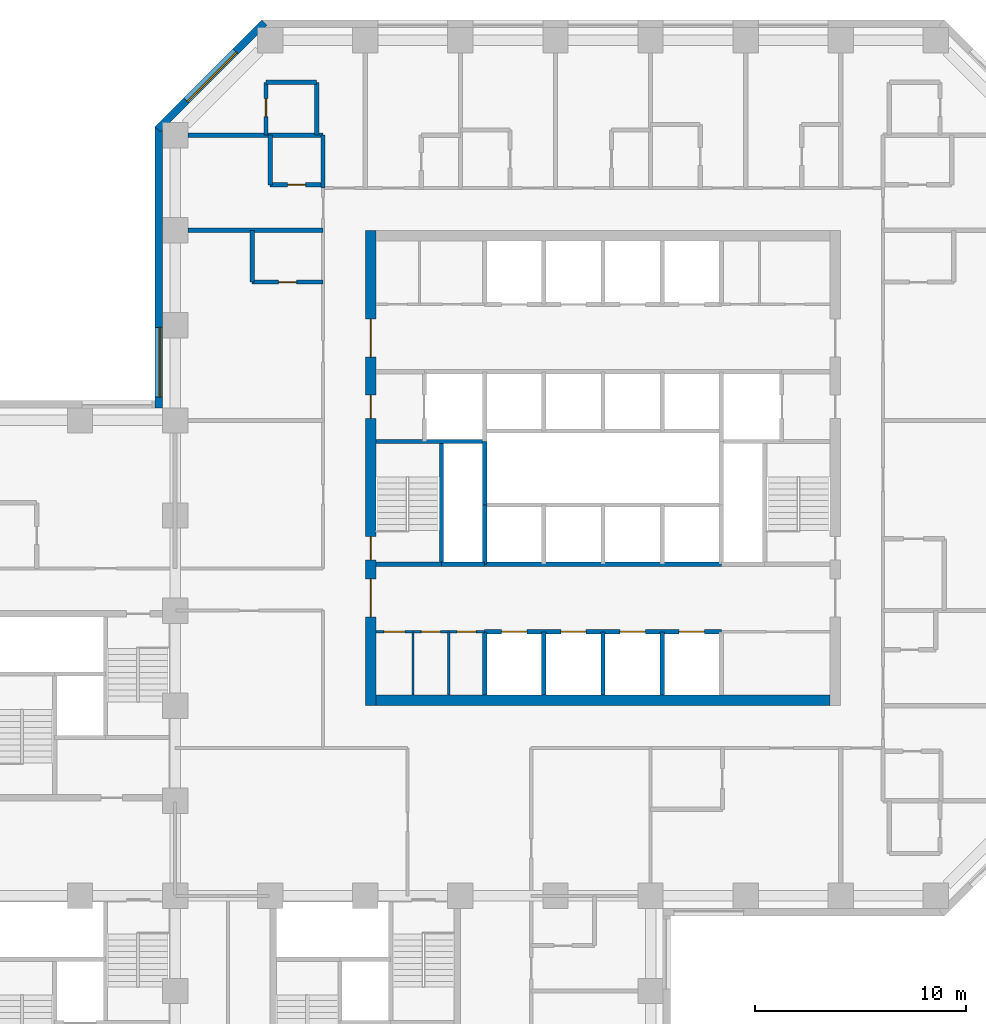
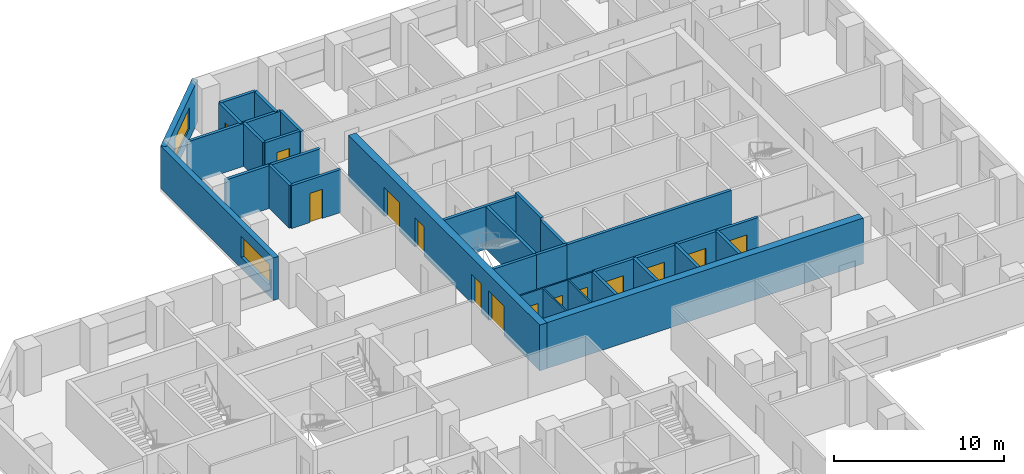
# One storey, part 7 of 12: 29 walls, 14 doors, 2 windows, 16 openings.
"""IFC4 building model written with IfcOpenShell, lengths in metres."""

from ifc_helpers import new_model, si_unit, direction, frame, frame_2d, origin, place, context, subcontext, project, spatial, rectangle, extrude, material, layer, layer_set, constituent, constituent_set, type_object, element, fill, save


model = new_model("IFC4")

# Units and contexts
model_context = context("Model", 3, precision=1e-05, world=origin(), true_north=direction((0.0, 1.0)))
body_context = subcontext(model_context, "Body", "Model", "MODEL_VIEW")
ifc_project = project(units=[si_unit("LENGTHUNIT", "METRE"), si_unit("AREAUNIT", "SQUARE_METRE"), si_unit("VOLUMEUNIT", "CUBIC_METRE"), si_unit("PLANEANGLEUNIT", "RADIAN"), si_unit("MASSUNIT", "GRAM", prefix="KILO")], contexts=[model_context])

# Site, building, storey
site_placement = place(None, origin())
site = spatial("IfcSite", under=ifc_project, at=site_placement, CompositionType="ELEMENT")
building_placement = place(site_placement, origin())
building = spatial("IfcBuilding", under=site, at=building_placement, Name="Quoin Convention Tower", CompositionType="ELEMENT")
storey_placement = place(building_placement, frame((0.0, 0.0, 33.0)))
storey = spatial("IfcBuildingStorey", under=building, at=storey_placement, Name="L07", CompositionType="ELEMENT", Elevation=33.0)

# Wall, opening, window
ifc_material_1 = material(Name="Brick masonry", Category="masonry")
ifc_layer_1 = layer(ifc_material_1, 0.35009765625)
ifc_layer_set_1 = layer_set([ifc_layer_1], Name="Brick masonry")
wall_type_1 = type_object("IfcWallType", Name="Brick facade wall", PredefinedType="STANDARD", material=ifc_layer_set_1)
wall_1_placement = place(storey_placement, frame((40.230224609375, 81.826416015625, 0.0), z_axis=(0.0, 0.0, 1.0), x_axis=(-0.707106781187, -0.707106781187, 0.0)))
wall_1 = element("IfcWall", 1, at=wall_1_placement, inside=storey, type_object=wall_type_1, Name="fw-L07-40500_81000", PredefinedType="STANDARD", context=body_context, shape_type="SweptSolid", body=[
    extrude(rectangle(XDim=7.151123046875, YDim=0.35009765625, at=frame_2d((3.57568359375, 0.0))), origin(), (0.0, 0.0, 1.0), 3.054931640625),
])
opening_1_placement = place(wall_1_placement, frame((1.925537109375, 0.0, 0.800048828125)))
opening_1 = element("IfcOpeningElement", 2, at=opening_1_placement, cuts=wall_1, Name="Opening W-01", PredefinedType="OPENING", context=body_context, shape_type="SweptSolid", body=[
    extrude(rectangle(XDim=3.300048828125, YDim=1.5, at=frame_2d((1.64990234375, 0.75))), frame((0.0, 0.18505859375, 0.0), z_axis=(0.0, -1.0, 0.0), x_axis=(1.0, 0.0, 0.0)), (0.0, 0.0, 1.0), 0.3701171875),
])
ifc_material_2 = material(Name="Aluminium", Category="aluminium")
ifc_constituent_1 = constituent(ifc_material_2, Name="Frame")
ifc_material_3 = material(Name="Insulated glass", Category="glass")
ifc_constituent_2 = constituent(ifc_material_3, Name="Glazing")
ifc_constituent_set = constituent_set(constituents=[ifc_constituent_1, ifc_constituent_2], Name="Aluminium")
window_type = type_object("IfcWindowType", Name="Hotel strip window", PartitioningType="DOUBLE_PANEL_VERTICAL", PredefinedType="WINDOW", material=ifc_constituent_set)
window_1_placement = place(opening_1_placement, origin())
window_1 = element("IfcWindow", 3, at=window_1_placement, inside=storey, type_object=window_type, Name="win-L07-37702_79298", OverallHeight=1.5, OverallWidth=3.300048828125, PartitioningType="SINGLE_PANEL", PredefinedType="WINDOW", context=body_context, shape_type="SweptSolid", body=[
    extrude(rectangle(XDim=3.300048828125, YDim=1.5, at=frame_2d((1.64990234375, 0.75))), frame((0.0, 0.0849609375, 0.0), z_axis=(0.0, -1.0, 0.0), x_axis=(1.0, 0.0, 0.0)), (0.0, 0.0, 1.0), 0.06005859375),
])
fill(opening_1, window_1)

wall_2_placement = place(storey_placement, frame((35.22509765625, 76.8935546875, 0.0), z_axis=(0.0, 0.0, 1.0), x_axis=(0.0, -1.0, 0.0)))
wall_2 = element("IfcWall", 4, at=wall_2_placement, inside=storey, type_object=wall_type_1, Name="fw-L07-36000_76500", PredefinedType="STANDARD", context=body_context, shape_type="SweptSolid", body=[
    extrude(rectangle(XDim=13.29345703125, YDim=0.35009765625, at=frame_2d((6.646728515625, 0.0))), origin(), (0.0, 0.0, 1.0), 3.054931640625),
])
opening_2_placement = place(wall_2_placement, frame((9.493408203125, 0.0, 0.800048828125)))
opening_2 = element("IfcOpeningElement", 5, at=opening_2_placement, cuts=wall_2, Name="Opening W-01", PredefinedType="OPENING", context=body_context, shape_type="SweptSolid", body=[
    extrude(rectangle(XDim=3.300048828125, YDim=1.5, at=frame_2d((1.64990234375, 0.75))), frame((0.0, 0.18505859375, 0.0), z_axis=(0.0, -1.0, 0.0), x_axis=(1.0, 0.0, 0.0)), (0.0, 0.0, 1.0), 0.3701171875),
])
window_2_placement = place(opening_2_placement, origin())
window_2 = element("IfcWindow", 6, at=window_2_placement, inside=storey, type_object=window_type, Name="win-L07-35225_65250", OverallHeight=1.5, OverallWidth=3.300048828125, PartitioningType="SINGLE_PANEL", PredefinedType="WINDOW", context=body_context, shape_type="SweptSolid", body=[
    extrude(rectangle(XDim=3.300048828125, YDim=1.5, at=frame_2d((1.64990234375, 0.75))), frame((0.0, 0.0849609375, 0.0), z_axis=(0.0, -1.0, 0.0), x_axis=(1.0, 0.0, 0.0)), (0.0, 0.0, 1.0), 0.06005859375),
])
fill(opening_2, window_2)

# Wall, openings, doors
ifc_material_4 = material(Name="Plasterboard")
ifc_layer_2 = layer(ifc_material_4, 0.012451171875, Name="Finish")
ifc_material_5 = material(Name="Steel stud framing", Category="steel")
ifc_layer_3 = layer(ifc_material_5, 0.074951171875, Name="Structure")
ifc_layer_4 = layer(ifc_material_4, 0.012451171875, Name="Finish")
ifc_layer_set_2 = layer_set([ifc_layer_2, ifc_layer_3, ifc_layer_4], Name="Steel stud framing")
wall_type_2 = type_object("IfcWallType", Name="Core partition wall", PredefinedType="PARTITIONING", material=ifc_layer_set_2)
wall_3_placement = place(storey_placement, frame((45.5, 53.0, 0.0), z_axis=(0.0, 0.0, 1.0), x_axis=(1.0, 0.0, 0.0)))
wall_3 = element("IfcWall", 7, at=wall_3_placement, inside=storey, type_object=wall_type_2, Name="cr-C1-L07-h3500_500", PredefinedType="PARTITIONING", context=body_context, shape_type="SweptSolid", body=[
    extrude(rectangle(XDim=5.14990234375, YDim=0.10009765625, at=frame_2d((2.574951171875, 0.0))), origin(), (0.0, 0.0, 1.0), 3.080078125),
])
opening_3_placement = place(wall_3_placement, frame((0.37548828125, 0.0, 0.0)))
opening_3 = element("IfcOpeningElement", 8, at=opening_3_placement, cuts=wall_3, Name="Opening DCV3-34", PredefinedType="OPENING", context=body_context, shape_type="SweptSolid", body=[
    extrude(rectangle(XDim=1.0, YDim=2.10009765625, at=frame_2d((0.5, 1.050048828125))), frame((0.0, 0.06005859375, 0.0), z_axis=(0.0, -1.0, 0.0), x_axis=(1.0, 0.0, 0.0)), (0.0, 0.0, 1.0), 0.1201171875),
])
opening_4_placement = place(wall_3_placement, frame((2.150634765625, 0.0, 0.0)))
opening_4 = element("IfcOpeningElement", 9, at=opening_4_placement, cuts=wall_3, Name="Opening DCV3-35", PredefinedType="OPENING", context=body_context, shape_type="SweptSolid", body=[
    extrude(rectangle(XDim=0.89990234375, YDim=2.10009765625, at=frame_2d((0.449951171875, 1.050048828125))), frame((0.0, 0.06005859375, 0.0), z_axis=(0.0, -1.0, 0.0), x_axis=(1.0, 0.0, 0.0)), (0.0, 0.0, 1.0), 0.1201171875),
])
opening_5_placement = place(wall_3_placement, frame((3.85009765625, 0.0, 0.0)))
opening_5 = element("IfcOpeningElement", 10, at=opening_5_placement, cuts=wall_3, Name="Opening DCV3-36", PredefinedType="OPENING", context=body_context, shape_type="SweptSolid", body=[
    extrude(rectangle(XDim=0.89990234375, YDim=2.10009765625, at=frame_2d((0.449951171875, 1.050048828125))), frame((0.0, 0.06005859375, 0.0), z_axis=(0.0, -1.0, 0.0), x_axis=(1.0, 0.0, 0.0)), (0.0, 0.0, 1.0), 0.1201171875),
])
ifc_material_6 = material(Name="Steel door leaf", Category="steel")
door_type_1 = type_object("IfcDoorType", Name="Core room door 1000 x 2100", OperationType="SINGLE_SWING_LEFT", PredefinedType="DOOR", material=ifc_material_6)
door_1_placement = place(opening_3_placement, frame((1.0, 0.0, 0.0), z_axis=(0.0, 0.0, 1.0), x_axis=(-1.0, 0.0, 0.0)))
door_1 = element("IfcDoor", 11, at=door_1_placement, inside=storey, type_object=door_type_1, Name="cd-C1-L07-CSW0-lobA-CD0712", OperationType="SINGLE_SWING_LEFT", OverallHeight=2.10009765625, OverallWidth=1.0, PredefinedType="DOOR", context=body_context, shape_type="SweptSolid", body=[
    extrude(rectangle(XDim=1.0, YDim=2.10009765625, at=frame_2d((0.5, 1.050048828125))), frame((0.0, 0.02490234375, 0.0), z_axis=(0.0, -1.0, 0.0), x_axis=(1.0, 0.0, 0.0)), (0.0, 0.0, 1.0), 0.050048828125),
])
fill(opening_3, door_1)
door_type_2 = type_object("IfcDoorType", Name="Core room door 900 x 2100", OperationType="SINGLE_SWING_LEFT", PredefinedType="DOOR", material=ifc_material_6)
door_2_placement = place(opening_4_placement, frame((0.89990234375, 0.0, 0.0), z_axis=(0.0, 0.0, 1.0), x_axis=(-1.0, 0.0, 0.0)))
door_2 = element("IfcDoor", 12, at=door_2_placement, inside=storey, type_object=door_type_2, Name="cd-C1-L07-CSW1-lobA-CD0713", OperationType="SINGLE_SWING_LEFT", OverallHeight=2.10009765625, OverallWidth=0.89990234375, PredefinedType="DOOR", context=body_context, shape_type="SweptSolid", body=[
    extrude(rectangle(XDim=0.89990234375, YDim=2.10009765625, at=frame_2d((0.449951171875, 1.050048828125))), frame((0.0, 0.02490234375, 0.0), z_axis=(0.0, -1.0, 0.0), x_axis=(1.0, 0.0, 0.0)), (0.0, 0.0, 1.0), 0.050048828125),
])
fill(opening_4, door_2)
door_3_placement = place(opening_5_placement, frame((0.89990234375, 0.0, 0.0), z_axis=(0.0, 0.0, 1.0), x_axis=(-1.0, 0.0, 0.0)))
door_3 = element("IfcDoor", 13, at=door_3_placement, inside=storey, type_object=door_type_2, Name="cd-C1-L07-CSW2-lobA-CD0714", OperationType="SINGLE_SWING_LEFT", OverallHeight=2.10009765625, OverallWidth=0.89990234375, PredefinedType="DOOR", context=body_context, shape_type="SweptSolid", body=[
    extrude(rectangle(XDim=0.89990234375, YDim=2.10009765625, at=frame_2d((0.449951171875, 1.050048828125))), frame((0.0, 0.02490234375, 0.0), z_axis=(0.0, -1.0, 0.0), x_axis=(1.0, 0.0, 0.0)), (0.0, 0.0, 1.0), 0.050048828125),
])
fill(opening_5, door_3)

# Walls
for number, where, z_axis, x_axis, name in (
    (14, (47.2509765625, 50.0, 0.0), (0.0, 0.0, 1.0), (0.0, 1.0, 0.0), "cr-C1-L07-v2251_500"),
    (15, (48.950439453125, 50.0, 0.0), (0.0, 0.0, 1.0), (0.0, 1.0, 0.0), "cr-C1-L07-v3950_500"),
):
    element("IfcWall", number, at=place(storey_placement, frame(where, z_axis=z_axis, x_axis=x_axis)), inside=storey, type_object=wall_type_2, Name=name, PredefinedType="PARTITIONING", context=body_context, shape_type="SweptSolid", body=[
        extrude(rectangle(XDim=3.0, YDim=0.10009765625, at=frame_2d((1.5, 0.0))), origin(), (0.0, 0.0, 1.0), 3.080078125),
    ])

# Wall, openings, doors
ifc_material_7 = material(Name="Concrete C50", Category="concrete")
ifc_layer_5 = layer(ifc_material_7, 0.199951171875)
ifc_layer_set_3 = layer_set([ifc_layer_5], Name="Concrete C50")
wall_type_3 = type_object("IfcWallType", Name="Core shaft wall", PredefinedType="SOLIDWALL", material=ifc_layer_set_3)
wall_4_placement = place(storey_placement, frame((50.64990234375, 53.0, 0.0), z_axis=(0.0, 0.0, 1.0), x_axis=(1.0, 0.0, 0.0)))
wall_4 = element("IfcWall", 16, at=wall_4_placement, inside=storey, type_object=wall_type_3, Name="cr-C1-L07-h3500_5650", PredefinedType="SOLIDWALL", context=body_context, shape_type="SweptSolid", body=[
    extrude(rectangle(XDim=11.2001953125, YDim=0.199951171875, at=frame_2d((5.60009765625, 0.0))), origin(), (0.0, 0.0, 1.0), 3.080078125),
])
opening_6_placement = place(wall_4_placement, frame((0.800048828125, 0.0, 0.0)))
opening_6 = element("IfcOpeningElement", 17, at=opening_6_placement, cuts=wall_4, Name="Opening LDL1", PredefinedType="OPENING", context=body_context, shape_type="SweptSolid", body=[
    extrude(rectangle(XDim=1.199951171875, YDim=2.10009765625, at=frame_2d((0.60009765625, 1.050048828125))), frame((0.0, 0.10986328125, 0.0), z_axis=(0.0, -1.0, 0.0), x_axis=(1.0, 0.0, 0.0)), (0.0, 0.0, 1.0), 0.219970703125),
])
opening_7_placement = place(wall_4_placement, frame((3.60009765625, 0.0, 0.0)))
opening_7 = element("IfcOpeningElement", 18, at=opening_7_placement, cuts=wall_4, Name="Opening LDL2", PredefinedType="OPENING", context=body_context, shape_type="SweptSolid", body=[
    extrude(rectangle(XDim=1.199951171875, YDim=2.10009765625, at=frame_2d((0.60009765625, 1.050048828125))), frame((0.0, 0.10986328125, 0.0), z_axis=(0.0, -1.0, 0.0), x_axis=(1.0, 0.0, 0.0)), (0.0, 0.0, 1.0), 0.219970703125),
])
opening_8_placement = place(wall_4_placement, frame((6.39990234375, 0.0, 0.0)))
opening_8 = element("IfcOpeningElement", 19, at=opening_8_placement, cuts=wall_4, Name="Opening LDL3", PredefinedType="OPENING", context=body_context, shape_type="SweptSolid", body=[
    extrude(rectangle(XDim=1.199951171875, YDim=2.10009765625, at=frame_2d((0.60009765625, 1.050048828125))), frame((0.0, 0.10986328125, 0.0), z_axis=(0.0, -1.0, 0.0), x_axis=(1.0, 0.0, 0.0)), (0.0, 0.0, 1.0), 0.219970703125),
])
opening_9_placement = place(wall_4_placement, frame((9.199951171875, 0.0, 0.0)))
opening_9 = element("IfcOpeningElement", 20, at=opening_9_placement, cuts=wall_4, Name="Opening LDL4", PredefinedType="OPENING", context=body_context, shape_type="SweptSolid", body=[
    extrude(rectangle(XDim=1.199951171875, YDim=2.10009765625, at=frame_2d((0.60009765625, 1.050048828125))), frame((0.0, 0.10986328125, 0.0), z_axis=(0.0, -1.0, 0.0), x_axis=(1.0, 0.0, 0.0)), (0.0, 0.0, 1.0), 0.219970703125),
])
door_type_3 = type_object("IfcDoorType", Name="Lift landing door 1200 x 2100", OperationType="DOUBLE_DOOR_SLIDING", PredefinedType="DOOR", material=ifc_material_6)
door_4_placement = place(opening_6_placement, origin())
door_4 = element("IfcDoor", 21, at=door_4_placement, inside=storey, type_object=door_type_3, Name="cd-C1-L07-R10-lobA-LDL1", OperationType="DOUBLE_DOOR_SLIDING", OverallHeight=2.10009765625, OverallWidth=1.199951171875, PredefinedType="DOOR", context=body_context, shape_type="SweptSolid", body=[
    extrude(rectangle(XDim=1.199951171875, YDim=2.10009765625, at=frame_2d((0.60009765625, 1.050048828125))), frame((0.0, 0.02490234375, 0.0), z_axis=(0.0, -1.0, 0.0), x_axis=(1.0, 0.0, 0.0)), (0.0, 0.0, 1.0), 0.050048828125),
])
fill(opening_6, door_4)
door_5_placement = place(opening_7_placement, origin())
door_5 = element("IfcDoor", 22, at=door_5_placement, inside=storey, type_object=door_type_3, Name="cd-C1-L07-R11-lobA-LDL2", OperationType="DOUBLE_DOOR_SLIDING", OverallHeight=2.10009765625, OverallWidth=1.199951171875, PredefinedType="DOOR", context=body_context, shape_type="SweptSolid", body=[
    extrude(rectangle(XDim=1.199951171875, YDim=2.10009765625, at=frame_2d((0.60009765625, 1.050048828125))), frame((0.0, 0.02490234375, 0.0), z_axis=(0.0, -1.0, 0.0), x_axis=(1.0, 0.0, 0.0)), (0.0, 0.0, 1.0), 0.050048828125),
])
fill(opening_7, door_5)
door_6_placement = place(opening_8_placement, origin())
door_6 = element("IfcDoor", 23, at=door_6_placement, inside=storey, type_object=door_type_3, Name="cd-C1-L07-R12-lobA-LDL3", OperationType="DOUBLE_DOOR_SLIDING", OverallHeight=2.10009765625, OverallWidth=1.199951171875, PredefinedType="DOOR", context=body_context, shape_type="SweptSolid", body=[
    extrude(rectangle(XDim=1.199951171875, YDim=2.10009765625, at=frame_2d((0.60009765625, 1.050048828125))), frame((0.0, 0.02490234375, 0.0), z_axis=(0.0, -1.0, 0.0), x_axis=(1.0, 0.0, 0.0)), (0.0, 0.0, 1.0), 0.050048828125),
])
fill(opening_8, door_6)
door_7_placement = place(opening_9_placement, origin())
door_7 = element("IfcDoor", 24, at=door_7_placement, inside=storey, type_object=door_type_3, Name="cd-C1-L07-R13-lobA-LDL4", OperationType="DOUBLE_DOOR_SLIDING", OverallHeight=2.10009765625, OverallWidth=1.199951171875, PredefinedType="DOOR", context=body_context, shape_type="SweptSolid", body=[
    extrude(rectangle(XDim=1.199951171875, YDim=2.10009765625, at=frame_2d((0.60009765625, 1.050048828125))), frame((0.0, 0.02490234375, 0.0), z_axis=(0.0, -1.0, 0.0), x_axis=(1.0, 0.0, 0.0)), (0.0, 0.0, 1.0), 0.050048828125),
])
fill(opening_9, door_7)

# Walls
wall_5_placement = place(storey_placement, frame((48.60009765625, 56.199951171875, 0.0), z_axis=(0.0, 0.0, 1.0), x_axis=(1.0, 0.0, 0.0)))
element("IfcWall", 25, at=wall_5_placement, inside=storey, type_object=wall_type_3, Name="cr-C1-L07-h6700_3600", PredefinedType="SOLIDWALL", context=body_context, shape_type="SweptSolid", body=[
    extrude(rectangle(XDim=2.0498046875, YDim=0.199951171875, at=frame_2d((1.02490234375, 0.0))), origin(), (0.0, 0.0, 1.0), 3.080078125),
])
wall_6_placement = place(storey_placement, frame((45.5, 56.199951171875, 0.0), z_axis=(0.0, 0.0, 1.0), x_axis=(1.0, 0.0, 0.0)))
element("IfcWall", 26, at=wall_6_placement, inside=storey, type_object=wall_type_3, Name="cr-C1-L07-h6700_500", PredefinedType="SOLIDWALL", context=body_context, shape_type="SweptSolid", body=[
    extrude(rectangle(XDim=3.10009765625, YDim=0.199951171875, at=frame_2d((1.550048828125, 0.0))), origin(), (0.0, 0.0, 1.0), 3.080078125),
])
wall_7_placement = place(storey_placement, frame((50.64990234375, 56.199951171875, 0.0), z_axis=(0.0, 0.0, 1.0), x_axis=(1.0, 0.0, 0.0)))
element("IfcWall", 27, at=wall_7_placement, inside=storey, type_object=wall_type_3, Name="cr-C1-L07-h6700_5650", PredefinedType="SOLIDWALL", context=body_context, shape_type="SweptSolid", body=[
    extrude(rectangle(XDim=11.2001953125, YDim=0.199951171875, at=frame_2d((5.60009765625, 0.0))), origin(), (0.0, 0.0, 1.0), 3.080078125),
])
wall_8_placement = place(storey_placement, frame((45.5, 62.0, 0.0), z_axis=(0.0, 0.0, 1.0), x_axis=(1.0, 0.0, 0.0)))
element("IfcWall", 28, at=wall_8_placement, inside=storey, type_object=wall_type_3, Name="cr-C1-L07-h12500_500", PredefinedType="SOLIDWALL", context=body_context, shape_type="SweptSolid", body=[
    extrude(rectangle(XDim=5.14990234375, YDim=0.199951171875, at=frame_2d((2.574951171875, 0.0))), origin(), (0.0, 0.0, 1.0), 3.080078125),
])
wall_9_placement = place(storey_placement, frame((48.60009765625, 56.199951171875, 0.0), z_axis=(0.0, 0.0, 1.0), x_axis=(0.0, 1.0, 0.0)))
element("IfcWall", 29, at=wall_9_placement, inside=storey, type_object=wall_type_3, Name="cr-C1-L07-v3600_6700", PredefinedType="SOLIDWALL", context=body_context, shape_type="SweptSolid", body=[
    extrude(rectangle(XDim=5.800048828125, YDim=0.199951171875, at=frame_2d((2.89990234375, 0.0))), origin(), (0.0, 0.0, 1.0), 3.080078125),
])
wall_10_placement = place(storey_placement, frame((50.64990234375, 50.0, 0.0), z_axis=(0.0, 0.0, 1.0), x_axis=(0.0, 1.0, 0.0)))
element("IfcWall", 30, at=wall_10_placement, inside=storey, type_object=wall_type_3, Name="cr-C1-L07-v5650_500", PredefinedType="SOLIDWALL", context=body_context, shape_type="SweptSolid", body=[
    extrude(rectangle(XDim=3.0, YDim=0.199951171875, at=frame_2d((1.5, 0.0))), origin(), (0.0, 0.0, 1.0), 3.080078125),
])
wall_11_placement = place(storey_placement, frame((50.64990234375, 56.199951171875, 0.0), z_axis=(0.0, 0.0, 1.0), x_axis=(0.0, 1.0, 0.0)))
element("IfcWall", 31, at=wall_11_placement, inside=storey, type_object=wall_type_3, Name="cr-C1-L07-v5650_6700", PredefinedType="SOLIDWALL", context=body_context, shape_type="SweptSolid", body=[
    extrude(rectangle(XDim=2.800048828125, YDim=0.199951171875, at=frame_2d((1.39990234375, 0.0))), origin(), (0.0, 0.0, 1.0), 3.080078125),
])
for number, where, z_axis, x_axis, name in (
    (32, (53.449951171875, 50.0, 0.0), (0.0, 0.0, 1.0), (0.0, 1.0, 0.0), "cr-C1-L07-v8450_500"),
    (33, (56.25, 50.0, 0.0), (0.0, 0.0, 1.0), (0.0, 1.0, 0.0), "cr-C1-L07-v11250_500"),
    (34, (59.050048828125, 50.0, 0.0), (0.0, 0.0, 1.0), (0.0, 1.0, 0.0), "cr-C1-L07-v14050_500"),
):
    element("IfcWall", number, at=place(storey_placement, frame(where, z_axis=z_axis, x_axis=x_axis)), inside=storey, type_object=wall_type_3, Name=name, PredefinedType="SOLIDWALL", context=body_context, shape_type="SweptSolid", body=[
        extrude(rectangle(XDim=3.0, YDim=0.199951171875, at=frame_2d((1.5, 0.0))), origin(), (0.0, 0.0, 1.0), 3.080078125),
    ])
ifc_layer_6 = layer(ifc_material_7, 0.199951171875)
ifc_layer_set_4 = layer_set([ifc_layer_6], Name="Concrete C50")
wall_type_4 = type_object("IfcWallType", Name="Core shaft wall to the floor level over", PredefinedType="SOLIDWALL", material=ifc_layer_set_4)
wall_12_placement = place(storey_placement, frame((50.64990234375, 59.0, 0.0), z_axis=(0.0, 0.0, 1.0), x_axis=(0.0, 1.0, 0.0)))
element("IfcWall", 35, at=wall_12_placement, inside=storey, type_object=wall_type_4, Name="cr-C1-L07-v5650_9500", PredefinedType="SOLIDWALL", context=body_context, shape_type="SweptSolid", body=[
    extrude(rectangle(XDim=3.0, YDim=0.199951171875, at=frame_2d((1.5, 0.0))), origin(), (0.0, 0.0, 1.0), 3.300048828125),
])
ifc_material_8 = material(Name="Concrete C80", Category="concrete")
ifc_layer_7 = layer(ifc_material_8, 0.5)
ifc_layer_set_5 = layer_set([ifc_layer_7], Name="Concrete C80")
wall_type_5 = type_object("IfcWallType", Name="RC CORE WALL 500 C80", PredefinedType="SHEAR", material=ifc_layer_set_5)
wall_13_placement = place(storey_placement, frame((45.5, 49.75, 0.0), z_axis=(0.0, 0.0, 1.0), x_axis=(1.0, 0.0, 0.0)))
element("IfcWall", 36, at=wall_13_placement, inside=storey, type_object=wall_type_5, Name="cwl-C1-L07-S", PredefinedType="SHEAR", context=body_context, shape_type="SweptSolid", body=[
    extrude(rectangle(XDim=21.5, YDim=0.5, at=frame_2d((10.75, 0.0))), origin(), (0.0, 0.0, 1.0), 3.300048828125),
])

# Wall, openings, doors
wall_14_placement = place(storey_placement, frame((45.25, 49.5, 0.0), z_axis=(0.0, 0.0, 1.0), x_axis=(0.0, 1.0, 0.0)))
wall_14 = element("IfcWall", 37, at=wall_14_placement, inside=storey, type_object=wall_type_5, Name="cwl-C1-L07-W", PredefinedType="SHEAR", context=body_context, shape_type="SweptSolid", body=[
    extrude(rectangle(XDim=22.5, YDim=0.5, at=frame_2d((11.25, 0.0))), origin(), (0.0, 0.0, 1.0), 3.300048828125),
])
opening_10_placement = place(wall_14_placement, frame((4.199951171875, 0.0, 0.0)))
opening_10 = element("IfcOpeningElement", 38, at=opening_10_placement, cuts=wall_14, Name="Opening DCV3-40", PredefinedType="OPENING", context=body_context, shape_type="SweptSolid", body=[
    extrude(rectangle(XDim=1.800048828125, YDim=2.10009765625, at=frame_2d((0.89990234375, 1.050048828125))), frame((0.0, 0.260009765625, 0.0), z_axis=(0.0, -1.0, 0.0), x_axis=(1.0, 0.0, 0.0)), (0.0, 0.0, 1.0), 0.52001953125),
])
opening_11_placement = place(wall_14_placement, frame((6.89990234375, 0.0, 0.0)))
opening_11 = element("IfcOpeningElement", 39, at=opening_11_placement, cuts=wall_14, Name="Opening SD1", PredefinedType="OPENING", context=body_context, shape_type="SweptSolid", body=[
    extrude(rectangle(XDim=1.10009765625, YDim=2.10009765625, at=frame_2d((0.550048828125, 1.050048828125))), frame((0.0, 0.260009765625, 0.0), z_axis=(0.0, -1.0, 0.0), x_axis=(1.0, 0.0, 0.0)), (0.0, 0.0, 1.0), 0.52001953125),
])
opening_12_placement = place(wall_14_placement, frame((13.60009765625, 0.0, 0.0)))
opening_12 = element("IfcOpeningElement", 40, at=opening_12_placement, cuts=wall_14, Name="Opening DCV3-39", PredefinedType="OPENING", context=body_context, shape_type="SweptSolid", body=[
    extrude(rectangle(XDim=1.10009765625, YDim=2.10009765625, at=frame_2d((0.550048828125, 1.050048828125))), frame((0.0, 0.260009765625, 0.0), z_axis=(0.0, -1.0, 0.0), x_axis=(1.0, 0.0, 0.0)), (0.0, 0.0, 1.0), 0.52001953125),
])
opening_13_placement = place(wall_14_placement, frame((16.5, 0.0, 0.0)))
opening_13 = element("IfcOpeningElement", 41, at=opening_13_placement, cuts=wall_14, Name="Opening DCV3-40", PredefinedType="OPENING", context=body_context, shape_type="SweptSolid", body=[
    extrude(rectangle(XDim=1.800048828125, YDim=2.10009765625, at=frame_2d((0.89990234375, 1.050048828125))), frame((0.0, 0.260009765625, 0.0), z_axis=(0.0, -1.0, 0.0), x_axis=(1.0, 0.0, 0.0)), (0.0, 0.0, 1.0), 0.52001953125),
])
door_type_4 = type_object("IfcDoorType", Name="Fire-fighting lobby door 1100 x 2100", OperationType="SINGLE_SWING_LEFT", PredefinedType="DOOR", material=ifc_material_6)
door_8_placement = place(opening_12_placement, frame((1.10009765625, 0.0, 0.0), z_axis=(0.0, 0.0, 1.0), x_axis=(-1.0, 0.0, 0.0)))
door_8 = element("IfcDoor", 42, at=door_8_placement, inside=storey, type_object=door_type_4, Name="cd-C1-L07-FFW-W", OperationType="SINGLE_SWING_LEFT", OverallHeight=2.10009765625, OverallWidth=1.10009765625, PredefinedType="DOOR", context=body_context, shape_type="SweptSolid", body=[
    extrude(rectangle(XDim=1.10009765625, YDim=2.10009765625, at=frame_2d((0.550048828125, 1.050048828125))), frame((0.0, 0.02490234375, 0.0), z_axis=(0.0, -1.0, 0.0), x_axis=(1.0, 0.0, 0.0)), (0.0, 0.0, 1.0), 0.050048828125),
])
fill(opening_12, door_8)
door_type_5 = type_object("IfcDoorType", Name="Lift lobby door 1800 x 2100", OperationType="SINGLE_SWING_LEFT", PredefinedType="DOOR", material=ifc_material_6)
door_9_placement = place(opening_10_placement, frame((1.800048828125, 0.0, 0.0), z_axis=(0.0, 0.0, 1.0), x_axis=(-1.0, 0.0, 0.0)))
door_9 = element("IfcDoor", 43, at=door_9_placement, inside=storey, type_object=door_type_5, Name="cd-C1-L07-lobA-W", OperationType="SINGLE_SWING_LEFT", OverallHeight=2.10009765625, OverallWidth=1.800048828125, PredefinedType="DOOR", context=body_context, shape_type="SweptSolid", body=[
    extrude(rectangle(XDim=1.800048828125, YDim=2.10009765625, at=frame_2d((0.89990234375, 1.050048828125))), frame((0.0, 0.02490234375, 0.0), z_axis=(0.0, -1.0, 0.0), x_axis=(1.0, 0.0, 0.0)), (0.0, 0.0, 1.0), 0.050048828125),
])
fill(opening_10, door_9)
door_10_placement = place(opening_13_placement, frame((1.800048828125, 0.0, 0.0), z_axis=(0.0, 0.0, 1.0), x_axis=(-1.0, 0.0, 0.0)))
door_10 = element("IfcDoor", 44, at=door_10_placement, inside=storey, type_object=door_type_5, Name="cd-C1-L07-lobB-W", OperationType="SINGLE_SWING_LEFT", OverallHeight=2.10009765625, OverallWidth=1.800048828125, PredefinedType="DOOR", context=body_context, shape_type="SweptSolid", body=[
    extrude(rectangle(XDim=1.800048828125, YDim=2.10009765625, at=frame_2d((0.89990234375, 1.050048828125))), frame((0.0, 0.02490234375, 0.0), z_axis=(0.0, -1.0, 0.0), x_axis=(1.0, 0.0, 0.0)), (0.0, 0.0, 1.0), 0.050048828125),
])
fill(opening_13, door_10)
door_type_6 = type_object("IfcDoorType", Name="Stair door 1100 x 2100", OperationType="SINGLE_SWING_RIGHT", PredefinedType="DOOR", material=ifc_material_6)
door_11_placement = place(opening_11_placement, frame((1.10009765625, 0.0, 0.0), z_axis=(0.0, 0.0, 1.0), x_axis=(-1.0, 0.0, 0.0)))
door_11 = element("IfcDoor", 45, at=door_11_placement, inside=storey, type_object=door_type_6, Name="cd-C1-L07-STW-W", OperationType="SINGLE_SWING_RIGHT", OverallHeight=2.10009765625, OverallWidth=1.10009765625, PredefinedType="DOOR", context=body_context, shape_type="SweptSolid", body=[
    extrude(rectangle(XDim=1.10009765625, YDim=2.10009765625, at=frame_2d((0.550048828125, 1.050048828125))), frame((0.0, 0.02490234375, 0.0), z_axis=(0.0, -1.0, 0.0), x_axis=(1.0, 0.0, 0.0)), (0.0, 0.0, 1.0), 0.050048828125),
])
fill(opening_11, door_11)

# Wall, opening, door
ifc_layer_8 = layer(ifc_material_7, 0.199951171875)
ifc_layer_set_6 = layer_set([ifc_layer_8], Name="Concrete C50")
wall_type_6 = type_object("IfcWallType", Name="RC party wall", PredefinedType="SOLIDWALL", material=ifc_layer_set_6)
wall_15_placement = place(storey_placement, frame((39.64990234375, 69.550048828125, 0.0), z_axis=(0.0, 0.0, 1.0), x_axis=(1.0, 0.0, 0.0)))
wall_15 = element("IfcWall", 46, at=wall_15_placement, inside=storey, type_object=wall_type_6, Name="pw-L07-114", PredefinedType="SOLIDWALL", context=body_context, shape_type="SweptSolid", body=[
    extrude(rectangle(XDim=3.35009765625, YDim=0.199951171875, at=frame_2d((1.675048828125, 0.0))), origin(), (0.0, 0.0, 1.0), 3.080078125),
])
opening_14_placement = place(wall_15_placement, frame((1.25, 0.0, 0.0)))
opening_14 = element("IfcOpeningElement", 47, at=opening_14_placement, cuts=wall_15, Name="Opening DHOTEL-C-63", PredefinedType="OPENING", context=body_context, shape_type="SweptSolid", body=[
    extrude(rectangle(XDim=0.85009765625, YDim=2.10009765625, at=frame_2d((0.425048828125, 1.050048828125))), frame((0.0, 0.10986328125, 0.0), z_axis=(0.0, -1.0, 0.0), x_axis=(1.0, 0.0, 0.0)), (0.0, 0.0, 1.0), 0.219970703125),
])
door_type_7 = type_object("IfcDoorType", Name="Bathroom door", OperationType="SINGLE_SWING_LEFT", PredefinedType="DOOR", material=ifc_material_6)
door_12_placement = place(opening_14_placement, frame((0.85009765625, 0.0, 0.0), z_axis=(0.0, 0.0, 1.0), x_axis=(-1.0, 0.0, 0.0)))
door_12 = element("IfcDoor", 48, at=door_12_placement, inside=storey, type_object=door_type_7, Name="dr-L07-034", OperationType="SINGLE_SWING_LEFT", OverallHeight=2.10009765625, OverallWidth=0.85009765625, PredefinedType="DOOR", context=body_context, shape_type="SweptSolid", body=[
    extrude(rectangle(XDim=0.85009765625, YDim=2.10009765625, at=frame_2d((0.425048828125, 1.050048828125))), frame((0.0, 0.02490234375, 0.0), z_axis=(0.0, -1.0, 0.0), x_axis=(1.0, 0.0, 0.0)), (0.0, 0.0, 1.0), 0.050048828125),
])
fill(opening_14, door_12)

# Walls
wall_16_placement = place(storey_placement, frame((39.64990234375, 69.550048828125, 0.0), z_axis=(0.0, 0.0, 1.0), x_axis=(0.0, 1.0, 0.0)))
element("IfcWall", 49, at=wall_16_placement, inside=storey, type_object=wall_type_6, Name="pw-L07-115", PredefinedType="SOLIDWALL", context=body_context, shape_type="SweptSolid", body=[
    extrude(rectangle(XDim=2.449951171875, YDim=0.199951171875, at=frame_2d((1.22509765625, 0.0))), origin(), (0.0, 0.0, 1.0), 3.080078125),
])
wall_17_placement = place(storey_placement, frame((36.60009765625, 72.0, 0.0), z_axis=(0.0, 0.0, 1.0), x_axis=(1.0, 0.0, 0.0)))
element("IfcWall", 50, at=wall_17_placement, inside=storey, type_object=wall_type_6, Name="pw-L07-118", PredefinedType="SOLIDWALL", context=body_context, shape_type="SweptSolid", body=[
    extrude(rectangle(XDim=6.39990234375, YDim=0.199951171875, at=frame_2d((3.199951171875, 0.0))), origin(), (0.0, 0.0, 1.0), 3.080078125),
])
wall_18_placement = place(storey_placement, frame((43.0, 74.0, 0.0), z_axis=(0.0, 0.0, 1.0), x_axis=(0.0, 1.0, 0.0)))
element("IfcWall", 51, at=wall_18_placement, inside=storey, type_object=wall_type_6, Name="pw-L07-120", PredefinedType="SOLIDWALL", context=body_context, shape_type="SweptSolid", body=[
    extrude(rectangle(XDim=2.5, YDim=0.199951171875, at=frame_2d((1.25, 0.0))), origin(), (0.0, 0.0, 1.0), 3.080078125),
])

# Wall, opening, door
wall_19_placement = place(storey_placement, frame((40.5, 74.14990234375, 0.0), z_axis=(0.0, 0.0, 1.0), x_axis=(1.0, 0.0, 0.0)))
wall_19 = element("IfcWall", 52, at=wall_19_placement, inside=storey, type_object=wall_type_6, Name="pw-L07-133", PredefinedType="SOLIDWALL", context=body_context, shape_type="SweptSolid", body=[
    extrude(rectangle(XDim=2.5, YDim=0.199951171875, at=frame_2d((1.25, 0.0))), origin(), (0.0, 0.0, 1.0), 3.080078125),
])
opening_15_placement = place(wall_19_placement, frame((0.824951171875, 0.0, 0.0)))
opening_15 = element("IfcOpeningElement", 53, at=opening_15_placement, cuts=wall_19, Name="Opening DHOTEL-C-70", PredefinedType="OPENING", context=body_context, shape_type="SweptSolid", body=[
    extrude(rectangle(XDim=0.85009765625, YDim=2.10009765625, at=frame_2d((0.425048828125, 1.050048828125))), frame((0.0, 0.10986328125, 0.0), z_axis=(0.0, -1.0, 0.0), x_axis=(1.0, 0.0, 0.0)), (0.0, 0.0, 1.0), 0.219970703125),
])
door_13_placement = place(opening_15_placement, origin())
door_13 = element("IfcDoor", 54, at=door_13_placement, inside=storey, type_object=door_type_7, Name="dr-L07-036", OperationType="SINGLE_SWING_RIGHT", OverallHeight=2.10009765625, OverallWidth=0.85009765625, PredefinedType="DOOR", context=body_context, shape_type="SweptSolid", body=[
    extrude(rectangle(XDim=0.85009765625, YDim=2.10009765625, at=frame_2d((0.425048828125, 1.050048828125))), frame((0.0, 0.02490234375, 0.0), z_axis=(0.0, -1.0, 0.0), x_axis=(1.0, 0.0, 0.0)), (0.0, 0.0, 1.0), 0.050048828125),
])
fill(opening_15, door_13)

# Walls
wall_20_placement = place(storey_placement, frame((40.5, 74.14990234375, 0.0), z_axis=(0.0, 0.0, 1.0), x_axis=(0.0, 1.0, 0.0)))
element("IfcWall", 55, at=wall_20_placement, inside=storey, type_object=wall_type_6, Name="pw-L07-134", PredefinedType="SOLIDWALL", context=body_context, shape_type="SweptSolid", body=[
    extrude(rectangle(XDim=2.35009765625, YDim=0.199951171875, at=frame_2d((1.175048828125, 0.0))), origin(), (0.0, 0.0, 1.0), 3.080078125),
])
wall_21_placement = place(storey_placement, frame((36.60009765625, 76.5, 0.0), z_axis=(0.0, 0.0, 1.0), x_axis=(1.0, 0.0, 0.0)))
element("IfcWall", 56, at=wall_21_placement, inside=storey, type_object=wall_type_6, Name="pw-L07-137", PredefinedType="SOLIDWALL", context=body_context, shape_type="SweptSolid", body=[
    extrude(rectangle(XDim=6.39990234375, YDim=0.199951171875, at=frame_2d((3.199951171875, 0.0))), origin(), (0.0, 0.0, 1.0), 3.080078125),
])

# Wall, opening, door
wall_22_placement = place(storey_placement, frame((40.300048828125, 76.5, 0.0), z_axis=(0.0, 0.0, 1.0), x_axis=(0.0, 1.0, 0.0)))
wall_22 = element("IfcWall", 57, at=wall_22_placement, inside=storey, type_object=wall_type_6, Name="pw-L07-138", PredefinedType="SOLIDWALL", context=body_context, shape_type="SweptSolid", body=[
    extrude(rectangle(XDim=2.5, YDim=0.199951171875, at=frame_2d((1.25, 0.0))), origin(), (0.0, 0.0, 1.0), 3.080078125),
])
opening_16_placement = place(wall_22_placement, frame((0.875, 0.0, 0.0)))
opening_16 = element("IfcOpeningElement", 58, at=opening_16_placement, cuts=wall_22, Name="Opening DHOTEL-C-72", PredefinedType="OPENING", context=body_context, shape_type="SweptSolid", body=[
    extrude(rectangle(XDim=0.85009765625, YDim=2.10009765625, at=frame_2d((0.425048828125, 1.050048828125))), frame((0.0, 0.10986328125, 0.0), z_axis=(0.0, -1.0, 0.0), x_axis=(1.0, 0.0, 0.0)), (0.0, 0.0, 1.0), 0.219970703125),
])
door_14_placement = place(opening_16_placement, origin())
door_14 = element("IfcDoor", 59, at=door_14_placement, inside=storey, type_object=door_type_7, Name="dr-L07-066", OperationType="SINGLE_SWING_RIGHT", OverallHeight=2.10009765625, OverallWidth=0.85009765625, PredefinedType="DOOR", context=body_context, shape_type="SweptSolid", body=[
    extrude(rectangle(XDim=0.85009765625, YDim=2.10009765625, at=frame_2d((0.425048828125, 1.050048828125))), frame((0.0, 0.02490234375, 0.0), z_axis=(0.0, -1.0, 0.0), x_axis=(1.0, 0.0, 0.0)), (0.0, 0.0, 1.0), 0.050048828125),
])
fill(opening_16, door_14)

# Walls
wall_23_placement = place(storey_placement, frame((42.699951171875, 76.5, 0.0), z_axis=(0.0, 0.0, 1.0), x_axis=(0.0, 1.0, 0.0)))
element("IfcWall", 60, at=wall_23_placement, inside=storey, type_object=wall_type_6, Name="pw-L07-139", PredefinedType="SOLIDWALL", context=body_context, shape_type="SweptSolid", body=[
    extrude(rectangle(XDim=2.5, YDim=0.199951171875, at=frame_2d((1.25, 0.0))), origin(), (0.0, 0.0, 1.0), 3.080078125),
])
wall_24_placement = place(storey_placement, frame((40.300048828125, 79.0, 0.0), z_axis=(0.0, 0.0, 1.0), x_axis=(1.0, 0.0, 0.0)))
element("IfcWall", 61, at=wall_24_placement, inside=storey, type_object=wall_type_6, Name="pw-L07-148", PredefinedType="SOLIDWALL", context=body_context, shape_type="SweptSolid", body=[
    extrude(rectangle(XDim=2.39990234375, YDim=0.199951171875, at=frame_2d((1.199951171875, 0.0))), origin(), (0.0, 0.0, 1.0), 3.080078125),
])

save(model, "model.ifc")
